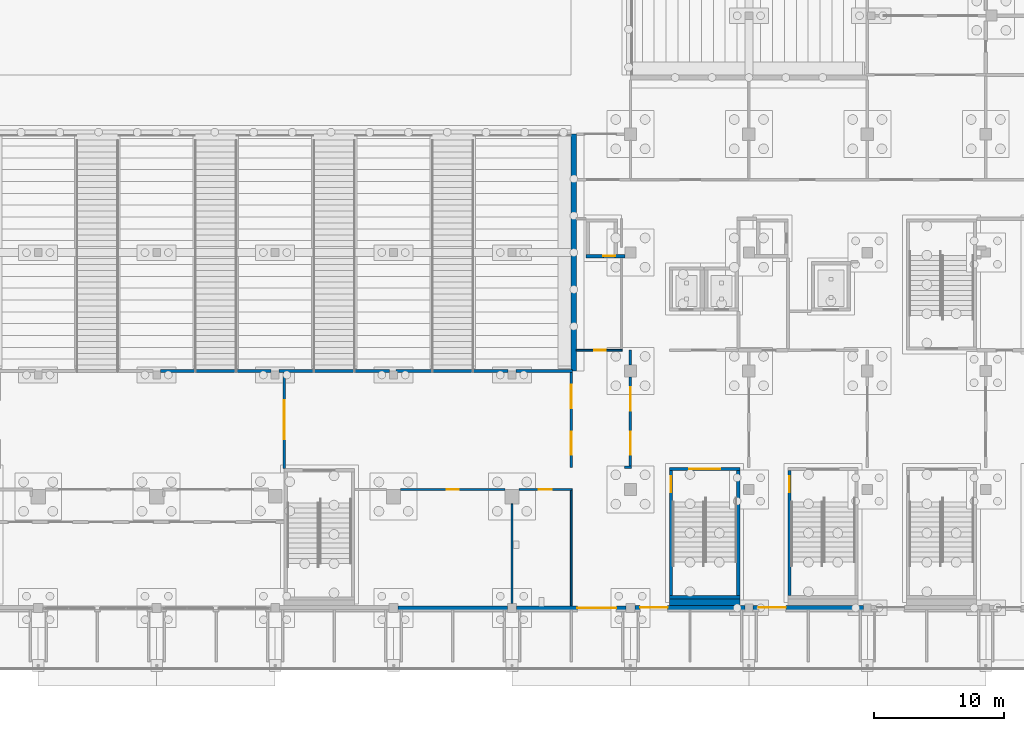
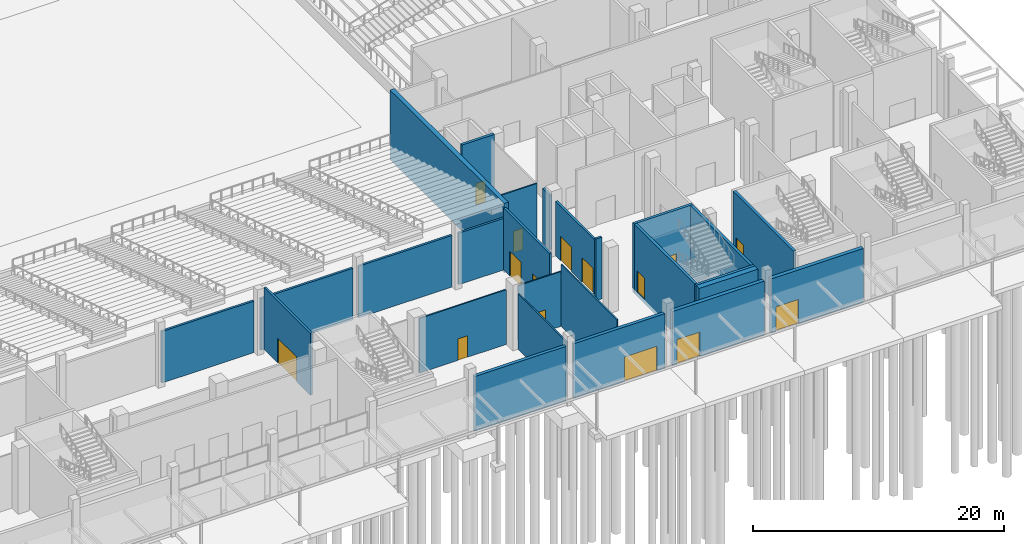
# One storey, part 73 of 129: 26 walls, 15 doors, 15 openings.
"""IFC4 building model written with IfcOpenShell, lengths in metres."""

from ifc_helpers import new_model, si_unit, direction, frame, frame_2d, origin, place, context, subcontext, project, spatial, rectangle, extrude, material, layer, layer_set, type_object, element, fill, save


model = new_model("IFC4")

# Units and contexts
model_context = context("Model", 3, precision=1e-05, world=origin(), true_north=direction((0.0, 1.0)))
body_context = subcontext(model_context, "Body", "Model", "MODEL_VIEW")
ifc_project = project(units=[si_unit("LENGTHUNIT", "METRE"), si_unit("AREAUNIT", "SQUARE_METRE"), si_unit("VOLUMEUNIT", "CUBIC_METRE"), si_unit("PLANEANGLEUNIT", "RADIAN"), si_unit("MASSUNIT", "GRAM", prefix="KILO")], contexts=[model_context])

# Site, building, storey
site_placement = place(None, origin())
site = spatial("IfcSite", under=ifc_project, at=site_placement, CompositionType="ELEMENT")
building_placement = place(site_placement, origin())
building = spatial("IfcBuilding", under=site, at=building_placement, Name="Shirokan Park Arena", CompositionType="ELEMENT")
storey_placement = place(building_placement, origin())
storey = spatial("IfcBuildingStorey", under=building, at=storey_placement, Name="L00", CompositionType="ELEMENT", Elevation=0.0)

# Wall
ifc_material_1 = material(Name="Board-formed concrete C40/50", Category="concrete")
ifc_layer_1 = layer(ifc_material_1, 0.1201171875, Name="Board-formed concrete C40/50")
ifc_material_2 = material(Name="Mineral wool insulation")
ifc_layer_2 = layer(ifc_material_2, 0.10009765625, Name="Mineral wool insulation")
ifc_material_3 = material(Name="Concrete C35", Category="concrete")
ifc_layer_3 = layer(ifc_material_3, 0.080078125, Name="Concrete C35")
ifc_layer_set_1 = layer_set([ifc_layer_1, ifc_layer_2, ifc_layer_3], Name="Board-formed concrete C40/50 + Mineral wool insulation + Concrete C35")
wall_type_1 = type_object("IfcWallType", Name="Board-formed concrete base wall 300", PredefinedType="SOLIDWALL", material=ifc_layer_set_1)
wall_1_placement = place(storey_placement, frame((91.35009765625, 0.0, 0.0), z_axis=(0.0, 0.0, 1.0), x_axis=(1.0, 0.0, 0.0)))
element("IfcWall", 1, at=wall_1_placement, inside=storey, type_object=wall_type_1, Name="South facade wall bay 11 L00", PredefinedType="SOLIDWALL", context=body_context, shape_type="SweptSolid", body=[
    extrude(rectangle(XDim=8.39990234375, YDim=0.300048828125, at=frame_2d((4.199951171875, 0.0))), origin(), (0.0, 0.0, 1.0), 5.320068359375),
])

# Wall, opening, door
wall_2_placement = place(storey_placement, frame((100.449951171875, 0.0, 0.0), z_axis=(0.0, 0.0, 1.0), x_axis=(1.0, 0.0, 0.0)))
wall_2 = element("IfcWall", 2, at=wall_2_placement, inside=storey, type_object=wall_type_1, Name="South facade wall bay 12 L00", PredefinedType="SOLIDWALL", context=body_context, shape_type="SweptSolid", body=[
    extrude(rectangle(XDim=8.400146484375, YDim=0.300048828125, at=frame_2d((4.2001953125, 0.0))), origin(), (0.0, 0.0, 1.0), 5.320068359375),
])
opening_1_placement = place(wall_2_placement, frame((4.675048828125, 0.0, 0.0)))
opening_1 = element("IfcOpeningElement", 3, at=opening_1_placement, cuts=wall_2, Name="Opening G10", PredefinedType="OPENING", context=body_context, shape_type="SweptSolid", body=[
    extrude(rectangle(XDim=3.0, YDim=2.39990234375, at=frame_2d((1.5, 1.199951171875))), frame((0.0, 0.159912109375, 0.0), z_axis=(0.0, -1.0, 0.0), x_axis=(1.0, 0.0, 0.0)), (0.0, 0.0, 1.0), 0.320068359375),
])
ifc_material_4 = material(Name="Steel and glass door", Category="steel")
door_type_1 = type_object("IfcDoorType", Name="Exit door pair 3000x2400", OperationType="DOUBLE_DOOR_SINGLE_SWING", PredefinedType="DOOR", material=ifc_material_4)
door_1_placement = place(opening_1_placement, frame((3.0, 0.0, 0.0), z_axis=(0.0, 0.0, 1.0), x_axis=(-1.0, 0.0, 0.0)))
door_1 = element("IfcDoor", 4, at=door_1_placement, inside=storey, type_object=door_type_1, Name="Pedestrian exit gate G10", OperationType="DOUBLE_DOOR_SINGLE_SWING", OverallHeight=2.39990234375, OverallWidth=3.0, PredefinedType="DOOR", context=body_context, shape_type="SweptSolid", body=[
    extrude(rectangle(XDim=3.0, YDim=2.39990234375, at=frame_2d((1.5, 1.199951171875))), frame((0.0, 0.02490234375, 0.0), z_axis=(0.0, -1.0, 0.0), x_axis=(1.0, 0.0, 0.0)), (0.0, 0.0, 1.0), 0.050048828125),
])
fill(opening_1, door_1)

# Walls
ifc_material_5 = material(Name="Gypsum board")
ifc_layer_4 = layer(ifc_material_5, 0.02490234375, Name="Gypsum board, two layers")
ifc_layer_5 = layer(ifc_material_2, 0.14990234375, Name="Mineral wool insulation")
ifc_layer_6 = layer(ifc_material_5, 0.02490234375, Name="Gypsum board, two layers")
ifc_layer_set_2 = layer_set([ifc_layer_4, ifc_layer_5, ifc_layer_6], Name="Gypsum board, two layers + Mineral wool insulation")
wall_type_2 = type_object("IfcWallType", Name="Corridor wall 200", PredefinedType="PARTITIONING", material=ifc_layer_set_2)
for number, where, z_axis, x_axis, name in (
    (5, (73.10009765625, 18.199951171875, 0.0), (0.0, 0.0, 1.0), (1.0, 0.0, 0.0), "Corridor wall 200 L00"),
    (6, (82.199951171875, 18.199951171875, 0.0), (0.0, 0.0, 1.0), (1.0, 0.0, 0.0), "Corridor wall 200 L00"),
):
    element("IfcWall", number, at=place(storey_placement, frame(where, z_axis=z_axis, x_axis=x_axis)), inside=storey, type_object=wall_type_2, Name=name, PredefinedType="PARTITIONING", context=body_context, shape_type="SweptSolid", body=[
        extrude(rectangle(XDim=8.5, YDim=0.199951171875, at=frame_2d((4.25, 0.0))), origin(), (0.0, 0.0, 1.0), 5.02001953125),
    ])

# Wall, opening, door
wall_3_placement = place(storey_placement, frame((82.60009765625, 18.10009765625, 0.0), z_axis=(0.0, 0.0, 1.0), x_axis=(0.0, -1.0, 0.0)))
wall_3 = element("IfcWall", 7, at=wall_3_placement, inside=storey, type_object=wall_type_2, Name="Corridor wall 200 L00", PredefinedType="PARTITIONING", context=body_context, shape_type="SweptSolid", body=[
    extrude(rectangle(XDim=7.3701171875, YDim=0.199951171875, at=frame_2d((3.68505859375, 0.0))), origin(), (0.0, 0.0, 1.0), 6.02001953125),
])
opening_2_placement = place(wall_3_placement, frame((2.14990234375, 0.0, 0.0)))
opening_2 = element("IfcOpeningElement", 8, at=opening_2_placement, cuts=wall_3, Name="Opening D-0135", PredefinedType="OPENING", context=body_context, shape_type="SweptSolid", body=[
    extrude(rectangle(XDim=3.0, YDim=2.39990234375, at=frame_2d((1.5, 1.199951171875))), frame((0.0, 0.10986328125, 0.0), z_axis=(0.0, -1.0, 0.0), x_axis=(1.0, 0.0, 0.0)), (0.0, 0.0, 1.0), 0.219970703125),
])
ifc_material_6 = material(Name="Glazed steel door set, fire resisting", Category="steel")
door_type_2 = type_object("IfcDoorType", Name="Concourse door 3000 x 2400", OperationType="DOUBLE_DOOR_SINGLE_SWING", PredefinedType="DOOR", material=ifc_material_6)
door_2_placement = place(opening_2_placement, origin())
door_2 = element("IfcDoor", 9, at=door_2_placement, inside=storey, type_object=door_type_2, Name="Door between Visitor Information Hall E1 and Entrance Concourse E1 D-0135", OperationType="DOUBLE_DOOR_SINGLE_SWING", OverallHeight=2.39990234375, OverallWidth=3.0, PredefinedType="DOOR", context=body_context, shape_type="SweptSolid", body=[
    extrude(rectangle(XDim=3.0, YDim=2.39990234375, at=frame_2d((1.5, 1.199951171875))), frame((0.0, 0.02490234375, 0.0), z_axis=(0.0, -1.0, 0.0), x_axis=(1.0, 0.0, 0.0)), (0.0, 0.0, 1.0), 0.050048828125),
])
fill(opening_2, door_2)

# Walls
wall_4_placement = place(storey_placement, frame((91.199951171875, 18.199951171875, 0.0), z_axis=(0.0, 0.0, 1.0), x_axis=(1.0, 0.0, 0.0)))
element("IfcWall", 10, at=wall_4_placement, inside=storey, type_object=wall_type_2, Name="Corridor wall 200 L00", PredefinedType="PARTITIONING", context=body_context, shape_type="SweptSolid", body=[
    extrude(rectangle(XDim=8.60009765625, YDim=0.199951171875, at=frame_2d((4.300048828125, 0.0))), origin(), (0.0, 0.0, 1.0), 5.02001953125),
])
wall_5_placement = place(storey_placement, frame((100.39990234375, 18.199951171875, 0.0), z_axis=(0.0, 0.0, 1.0), x_axis=(1.0, 0.0, 0.0)))
element("IfcWall", 11, at=wall_5_placement, inside=storey, type_object=wall_type_2, Name="Corridor wall 200 L00", PredefinedType="PARTITIONING", context=body_context, shape_type="SweptSolid", body=[
    extrude(rectangle(XDim=4.35009765625, YDim=0.199951171875, at=frame_2d((2.175048828125, 0.0))), origin(), (0.0, 0.0, 1.0), 5.02001953125),
])

# Wall, openings, doors
wall_6_placement = place(storey_placement, frame((104.64990234375, 10.800048828125, 0.0), z_axis=(0.0, 0.0, 1.0), x_axis=(0.0, 1.0, 0.0)))
wall_6 = element("IfcWall", 12, at=wall_6_placement, inside=storey, type_object=wall_type_2, Name="Corridor wall 200 L00", PredefinedType="PARTITIONING", context=body_context, shape_type="SweptSolid", body=[
    extrude(rectangle(XDim=7.300048828125, YDim=0.199951171875, at=frame_2d((3.64990234375, 0.0))), origin(), (0.0, 0.0, 1.0), 6.02001953125),
])
opening_3_placement = place(wall_6_placement, frame((0.949951171875, 0.0, 0.0)))
opening_3 = element("IfcOpeningElement", 13, at=opening_3_placement, cuts=wall_6, Name="Opening D-0065", PredefinedType="OPENING", context=body_context, shape_type="SweptSolid", body=[
    extrude(rectangle(XDim=1.800048828125, YDim=2.39990234375, at=frame_2d((0.89990234375, 1.199951171875))), frame((0.0, 0.10986328125, 0.0), z_axis=(0.0, -1.0, 0.0), x_axis=(1.0, 0.0, 0.0)), (0.0, 0.0, 1.0), 0.219970703125),
])
opening_4_placement = place(wall_6_placement, frame((4.550048828125, 0.0, 0.0)))
opening_4 = element("IfcOpeningElement", 14, at=opening_4_placement, cuts=wall_6, Name="Opening D-0066", PredefinedType="OPENING", context=body_context, shape_type="SweptSolid", body=[
    extrude(rectangle(XDim=1.800048828125, YDim=2.39990234375, at=frame_2d((0.89990234375, 1.199951171875))), frame((0.0, 0.10986328125, 0.0), z_axis=(0.0, -1.0, 0.0), x_axis=(1.0, 0.0, 0.0)), (0.0, 0.0, 1.0), 0.219970703125),
])
door_type_3 = type_object("IfcDoorType", Name="Lift lobby door 1800 x 2400", OperationType="DOUBLE_DOOR_SINGLE_SWING", PredefinedType="DOOR", material=ifc_material_6)
door_3_placement = place(opening_3_placement, origin())
door_3 = element("IfcDoor", 15, at=door_3_placement, inside=storey, type_object=door_type_3, Name="Door between Team Foyer 2.0.5 and Visitor Information Hall E1 D-0065", OperationType="DOUBLE_DOOR_SINGLE_SWING", OverallHeight=2.39990234375, OverallWidth=1.800048828125, PredefinedType="DOOR", context=body_context, shape_type="SweptSolid", body=[
    extrude(rectangle(XDim=1.800048828125, YDim=2.39990234375, at=frame_2d((0.89990234375, 1.199951171875))), frame((0.0, 0.02490234375, 0.0), z_axis=(0.0, -1.0, 0.0), x_axis=(1.0, 0.0, 0.0)), (0.0, 0.0, 1.0), 0.050048828125),
])
fill(opening_3, door_3)
door_4_placement = place(opening_4_placement, origin())
door_4 = element("IfcDoor", 16, at=door_4_placement, inside=storey, type_object=door_type_3, Name="Door between Team Foyer 2.0.5 and Visitor Information Hall E1 D-0066", OperationType="DOUBLE_DOOR_SINGLE_SWING", OverallHeight=2.39990234375, OverallWidth=1.800048828125, PredefinedType="DOOR", context=body_context, shape_type="SweptSolid", body=[
    extrude(rectangle(XDim=1.800048828125, YDim=2.39990234375, at=frame_2d((0.89990234375, 1.199951171875))), frame((0.0, 0.02490234375, 0.0), z_axis=(0.0, -1.0, 0.0), x_axis=(1.0, 0.0, 0.0)), (0.0, 0.0, 1.0), 0.050048828125),
])
fill(opening_4, door_4)

# Wall
wall_7_placement = place(storey_placement, frame((108.75, 10.800048828125, 0.0), z_axis=(0.0, 0.0, 1.0), x_axis=(1.0, 0.0, 0.0)))
element("IfcWall", 17, at=wall_7_placement, inside=storey, type_object=wall_type_2, Name="Corridor wall 200 L00", PredefinedType="PARTITIONING", context=body_context, shape_type="SweptSolid", body=[
    extrude(rectangle(XDim=0.550048828125, YDim=0.199951171875, at=frame_2d((0.27490234375, 0.0))), origin(), (0.0, 0.0, 1.0), 6.02001953125),
])

# Wall, openings, doors
wall_8_placement = place(storey_placement, frame((109.199951171875, 10.89990234375, 0.0), z_axis=(0.0, 0.0, 1.0), x_axis=(0.0, 1.0, 0.0)))
wall_8 = element("IfcWall", 18, at=wall_8_placement, inside=storey, type_object=wall_type_2, Name="Corridor wall 200 L00", PredefinedType="PARTITIONING", context=body_context, shape_type="SweptSolid", body=[
    extrude(rectangle(XDim=6.8251953125, YDim=0.199951171875, at=frame_2d((3.41259765625, 0.0))), origin(), (0.0, 0.0, 1.0), 5.320068359375),
])
opening_5_placement = place(wall_8_placement, frame((0.85009765625, 0.0, 0.0)))
opening_5 = element("IfcOpeningElement", 19, at=opening_5_placement, cuts=wall_8, Name="Opening D-0062", PredefinedType="OPENING", context=body_context, shape_type="SweptSolid", body=[
    extrude(rectangle(XDim=1.800048828125, YDim=2.39990234375, at=frame_2d((0.89990234375, 1.199951171875))), frame((0.0, 0.10986328125, 0.0), z_axis=(0.0, -1.0, 0.0), x_axis=(1.0, 0.0, 0.0)), (0.0, 0.0, 1.0), 0.219970703125),
])
opening_6_placement = place(wall_8_placement, frame((4.25, 0.0, 0.0)))
opening_6 = element("IfcOpeningElement", 20, at=opening_6_placement, cuts=wall_8, Name="Opening D-0063", PredefinedType="OPENING", context=body_context, shape_type="SweptSolid", body=[
    extrude(rectangle(XDim=1.800048828125, YDim=2.39990234375, at=frame_2d((0.89990234375, 1.199951171875))), frame((0.0, 0.10986328125, 0.0), z_axis=(0.0, -1.0, 0.0), x_axis=(1.0, 0.0, 0.0)), (0.0, 0.0, 1.0), 0.219970703125),
])
door_5_placement = place(opening_5_placement, origin())
door_5 = element("IfcDoor", 21, at=door_5_placement, inside=storey, type_object=door_type_3, Name="Door between Hospitality Reception 2.0.4 and Team Foyer 2.0.5 D-0062", OperationType="DOUBLE_DOOR_SINGLE_SWING", OverallHeight=2.39990234375, OverallWidth=1.800048828125, PredefinedType="DOOR", context=body_context, shape_type="SweptSolid", body=[
    extrude(rectangle(XDim=1.800048828125, YDim=2.39990234375, at=frame_2d((0.89990234375, 1.199951171875))), frame((0.0, 0.02490234375, 0.0), z_axis=(0.0, -1.0, 0.0), x_axis=(1.0, 0.0, 0.0)), (0.0, 0.0, 1.0), 0.050048828125),
])
fill(opening_5, door_5)
door_6_placement = place(opening_6_placement, origin())
door_6 = element("IfcDoor", 22, at=door_6_placement, inside=storey, type_object=door_type_3, Name="Door between Hospitality Reception 2.0.4 and Team Foyer 2.0.5 D-0063", OperationType="DOUBLE_DOOR_SINGLE_SWING", OverallHeight=2.39990234375, OverallWidth=1.800048828125, PredefinedType="DOOR", context=body_context, shape_type="SweptSolid", body=[
    extrude(rectangle(XDim=1.800048828125, YDim=2.39990234375, at=frame_2d((0.89990234375, 1.199951171875))), frame((0.0, 0.02490234375, 0.0), z_axis=(0.0, -1.0, 0.0), x_axis=(1.0, 0.0, 0.0)), (0.0, 0.0, 1.0), 0.050048828125),
])
fill(opening_6, door_6)

# Wall
wall_9_placement = place(storey_placement, frame((109.199951171875, 18.675048828125, 0.0), z_axis=(0.0, 0.0, 1.0), x_axis=(0.0, 1.0, 0.0)))
element("IfcWall", 23, at=wall_9_placement, inside=storey, type_object=wall_type_2, Name="Corridor wall 200 L00", PredefinedType="PARTITIONING", context=body_context, shape_type="SweptSolid", body=[
    extrude(rectangle(XDim=1.125, YDim=0.199951171875, at=frame_2d((0.5625, 0.0))), origin(), (0.0, 0.0, 1.0), 5.320068359375),
])

# Wall, opening, door
ifc_material_7 = material(Name="Cedar cladding")
ifc_layer_7 = layer(ifc_material_7, 0.030029296875, Name="Cedar cladding")
ifc_layer_8 = layer(ifc_material_2, 0.10009765625, Name="Mineral wool insulation")
ifc_layer_9 = layer(ifc_material_3, 0.199951171875, Name="Concrete C35")
ifc_material_8 = material(Name="Gypsum board lining")
ifc_layer_10 = layer(ifc_material_8, 0.02001953125, Name="Gypsum board lining")
ifc_layer_set_3 = layer_set([ifc_layer_7, ifc_layer_8, ifc_layer_9, ifc_layer_10], Name="Cedar cladding + Mineral wool insulation + Concrete C35 + Gypsum board lining")
wall_type_3 = type_object("IfcWallType", Name="Insulated tower wall 350", PredefinedType="SOLIDWALL", material=ifc_layer_set_3)
wall_10_placement = place(storey_placement, frame((109.550048828125, 0.02490234375, 0.0), z_axis=(0.0, 0.0, 1.0), x_axis=(1.0, 0.0, 0.0)))
wall_10 = element("IfcWall", 24, at=wall_10_placement, inside=storey, type_object=wall_type_3, Name="South facade wall bay 13 L00", PredefinedType="SOLIDWALL", context=body_context, shape_type="SweptSolid", body=[
    extrude(rectangle(XDim=8.449951171875, YDim=0.35009765625, at=frame_2d((4.22509765625, 0.0))), origin(), (0.0, 0.0, 1.0), 5.27001953125),
])
opening_7_placement = place(wall_10_placement, frame((0.39990234375, 0.0, 0.0)))
opening_7 = element("IfcOpeningElement", 25, at=opening_7_placement, cuts=wall_10, Name="Opening G9", PredefinedType="OPENING", context=body_context, shape_type="SweptSolid", body=[
    extrude(rectangle(XDim=2.10009765625, YDim=2.39990234375, at=frame_2d((1.050048828125, 1.199951171875))), frame((0.0, 0.18505859375, 0.0), z_axis=(0.0, -1.0, 0.0), x_axis=(1.0, 0.0, 0.0)), (0.0, 0.0, 1.0), 0.3701171875),
])
door_type_4 = type_object("IfcDoorType", Name="Exit door pair 2100x2400", OperationType="DOUBLE_DOOR_SINGLE_SWING", PredefinedType="DOOR", material=ifc_material_4)
door_7_placement = place(opening_7_placement, frame((2.10009765625, 0.0, 0.0), z_axis=(0.0, 0.0, 1.0), x_axis=(-1.0, 0.0, 0.0)))
door_7 = element("IfcDoor", 26, at=door_7_placement, inside=storey, type_object=door_type_4, Name="Pedestrian exit gate G9", OperationType="DOUBLE_DOOR_SINGLE_SWING", OverallHeight=2.39990234375, OverallWidth=2.10009765625, PredefinedType="DOOR", context=body_context, shape_type="SweptSolid", body=[
    extrude(rectangle(XDim=2.10009765625, YDim=2.39990234375, at=frame_2d((1.050048828125, 1.199951171875))), frame((0.0, 0.02490234375, 0.0), z_axis=(0.0, -1.0, 0.0), x_axis=(1.0, 0.0, 0.0)), (0.0, 0.0, 1.0), 0.050048828125),
])
fill(opening_7, door_7)

wall_11_placement = place(storey_placement, frame((118.60009765625, 0.02490234375, 0.0), z_axis=(0.0, 0.0, 1.0), x_axis=(1.0, 0.0, 0.0)))
wall_11 = element("IfcWall", 27, at=wall_11_placement, inside=storey, type_object=wall_type_3, Name="South facade wall bay 14 L00", PredefinedType="SOLIDWALL", context=body_context, shape_type="SweptSolid", body=[
    extrude(rectangle(XDim=8.5, YDim=0.35009765625, at=frame_2d((4.25, 0.0))), origin(), (0.0, 0.0, 1.0), 5.27001953125),
])
opening_8_placement = place(wall_11_placement, frame((0.449951171875, 0.0, 0.0)))
opening_8 = element("IfcOpeningElement", 28, at=opening_8_placement, cuts=wall_11, Name="Opening G8", PredefinedType="OPENING", context=body_context, shape_type="SweptSolid", body=[
    extrude(rectangle(XDim=2.10009765625, YDim=2.39990234375, at=frame_2d((1.050048828125, 1.199951171875))), frame((0.0, 0.18505859375, 0.0), z_axis=(0.0, -1.0, 0.0), x_axis=(1.0, 0.0, 0.0)), (0.0, 0.0, 1.0), 0.3701171875),
])
door_8_placement = place(opening_8_placement, frame((2.10009765625, 0.0, 0.0), z_axis=(0.0, 0.0, 1.0), x_axis=(-1.0, 0.0, 0.0)))
door_8 = element("IfcDoor", 29, at=door_8_placement, inside=storey, type_object=door_type_4, Name="Pedestrian exit gate G8", OperationType="DOUBLE_DOOR_SINGLE_SWING", OverallHeight=2.39990234375, OverallWidth=2.10009765625, PredefinedType="DOOR", context=body_context, shape_type="SweptSolid", body=[
    extrude(rectangle(XDim=2.10009765625, YDim=2.39990234375, at=frame_2d((1.050048828125, 1.199951171875))), frame((0.0, 0.02490234375, 0.0), z_axis=(0.0, -1.0, 0.0), x_axis=(1.0, 0.0, 0.0)), (0.0, 0.0, 1.0), 0.050048828125),
])
fill(opening_8, door_8)

# Wall
ifc_layer_11 = layer(ifc_material_3, 0.39990234375)
ifc_layer_set_4 = layer_set([ifc_layer_11], Name="Concrete C35 400 mm")
wall_type_4 = type_object("IfcWallType", Name="RC flank wall 400", PredefinedType="SHEAR", material=ifc_layer_set_4)
wall_12_placement = place(storey_placement, frame((104.85009765625, 36.39990234375, -0.39990234375), z_axis=(0.0, 0.0, 1.0), x_axis=(0.0, -1.0, 0.0)))
element("IfcWall", 30, at=wall_12_placement, inside=storey, type_object=wall_type_4, Name="Flank wall S2 L00", PredefinedType="SHEAR", context=body_context, shape_type="SweptSolid", body=[
    extrude(rectangle(XDim=18.199951171875, YDim=0.39990234375, at=frame_2d((9.10009765625, 0.0))), origin(), (0.0, 0.0, 1.0), 6.77001953125),
])

# Wall, opening, door
ifc_material_9 = material(Name="Concrete C40/50", Category="concrete")
ifc_layer_12 = layer(ifc_material_9, 0.25)
ifc_layer_set_5 = layer_set([ifc_layer_12], Name="Concrete C40/50 250 mm")
wall_type_5 = type_object("IfcWallType", Name="RC shear wall 250", PredefinedType="SHEAR", material=ifc_layer_set_5)
wall_13_placement = place(storey_placement, frame((108.77490234375, 27.02490234375, -0.39990234375), z_axis=(0.0, 0.0, 1.0), x_axis=(-1.0, 0.0, 0.0)))
wall_13 = element("IfcWall", 31, at=wall_13_placement, inside=storey, type_object=wall_type_5, Name="Shaft wall Services Riser 2.1 S L00", PredefinedType="SHEAR", context=body_context, shape_type="SweptSolid", body=[
    extrude(rectangle(XDim=2.974853515625, YDim=0.25, at=frame_2d((1.4873046875, 0.0))), origin(), (0.0, 0.0, 1.0), 6.77001953125),
])
opening_9_placement = place(wall_13_placement, frame((0.75, 0.0, 0.39990234375)))
opening_9 = element("IfcOpeningElement", 32, at=opening_9_placement, cuts=wall_13, Name="Opening D-0167", PredefinedType="OPENING", context=body_context, shape_type="SweptSolid", body=[
    extrude(rectangle(XDim=0.89990234375, YDim=2.10009765625, at=frame_2d((0.449951171875, 1.050048828125))), frame((0.0, 0.135009765625, 0.0), z_axis=(0.0, -1.0, 0.0), x_axis=(1.0, 0.0, 0.0)), (0.0, 0.0, 1.0), 0.27001953125),
])
ifc_material_10 = material(Name="Steel door set, fire resisting", Category="steel")
door_type_5 = type_object("IfcDoorType", Name="Electrical riser door 900 x 2100", OperationType="SINGLE_SWING_LEFT", PredefinedType="DOOR", material=ifc_material_10)
door_9_placement = place(opening_9_placement, origin())
door_9 = element("IfcDoor", 33, at=door_9_placement, inside=storey, type_object=door_type_5, Name="Riser access door Services Riser 2.1 D-0167", OperationType="SINGLE_SWING_LEFT", OverallHeight=2.10009765625, OverallWidth=0.89990234375, PredefinedType="DOOR", context=body_context, shape_type="SweptSolid", body=[
    extrude(rectangle(XDim=0.89990234375, YDim=2.10009765625, at=frame_2d((0.449951171875, 1.050048828125))), frame((0.0, 0.02490234375, 0.0), z_axis=(0.0, -1.0, 0.0), x_axis=(1.0, 0.0, 0.0)), (0.0, 0.0, 1.0), 0.050048828125),
])
fill(opening_9, door_9)

wall_14_placement = place(storey_placement, frame((121.425048828125, 10.550048828125, -0.39990234375), z_axis=(0.0, 0.0, 1.0), x_axis=(0.0, -1.0, 0.0)))
wall_14 = element("IfcWall", 34, at=wall_14_placement, inside=storey, type_object=wall_type_5, Name="Shaft wall Exit Stair 2.C W L00", PredefinedType="SHEAR", context=body_context, shape_type="SweptSolid", body=[
    extrude(rectangle(XDim=9.60009765625, YDim=0.25, at=frame_2d((4.800048828125, 0.0))), origin(), (0.0, 0.0, 1.0), 6.77001953125),
])
opening_10_placement = place(wall_14_placement, frame((0.449951171875, 0.0, 0.39990234375)))
opening_10 = element("IfcOpeningElement", 35, at=opening_10_placement, cuts=wall_14, Name="Opening D-0203", PredefinedType="OPENING", context=body_context, shape_type="SweptSolid", body=[
    extrude(rectangle(XDim=1.199951171875, YDim=2.10009765625, at=frame_2d((0.60009765625, 1.050048828125))), frame((0.0, 0.135009765625, 0.0), z_axis=(0.0, -1.0, 0.0), x_axis=(1.0, 0.0, 0.0)), (0.0, 0.0, 1.0), 0.27001953125),
])
door_type_6 = type_object("IfcDoorType", Name="Stair exit door 1200 x 2100", OperationType="SINGLE_SWING_LEFT", PredefinedType="DOOR", material=ifc_material_10)
door_10_placement = place(opening_10_placement, origin())
door_10 = element("IfcDoor", 36, at=door_10_placement, inside=storey, type_object=door_type_6, Name="Stair exit door Exit Stair 2.C D-0203", OperationType="SINGLE_SWING_LEFT", OverallHeight=2.10009765625, OverallWidth=1.199951171875, PredefinedType="DOOR", context=body_context, shape_type="SweptSolid", body=[
    extrude(rectangle(XDim=1.199951171875, YDim=2.10009765625, at=frame_2d((0.60009765625, 1.050048828125))), frame((0.0, 0.02490234375, 0.0), z_axis=(0.0, -1.0, 0.0), x_axis=(1.0, 0.0, 0.0)), (0.0, 0.0, 1.0), 0.050048828125),
])
fill(opening_10, door_10)

# Wall
wall_15_placement = place(storey_placement, frame((117.60009765625, 0.824951171875, -0.39990234375), z_axis=(0.0, 0.0, 1.0), x_axis=(-1.0, 0.0, 0.0)))
element("IfcWall", 37, at=wall_15_placement, inside=storey, type_object=wall_type_5, Name="Shaft wall Exit Stair 2.D S L00", PredefinedType="SHEAR", context=body_context, shape_type="SweptSolid", body=[
    extrude(rectangle(XDim=5.400146484375, YDim=0.25, at=frame_2d((2.7001953125, 0.0))), origin(), (0.0, 0.0, 1.0), 6.77001953125),
])

# Wall, opening, door
wall_16_placement = place(storey_placement, frame((117.60009765625, 10.675048828125, -0.39990234375), z_axis=(0.0, 0.0, 1.0), x_axis=(-1.0, 0.0, 0.0)))
wall_16 = element("IfcWall", 38, at=wall_16_placement, inside=storey, type_object=wall_type_5, Name="Shaft wall Exit Stair 2.D N L00", PredefinedType="SHEAR", context=body_context, shape_type="SweptSolid", body=[
    extrude(rectangle(XDim=5.400146484375, YDim=0.25, at=frame_2d((2.7001953125, 0.0))), origin(), (0.0, 0.0, 1.0), 6.77001953125),
])
opening_11_placement = place(wall_16_placement, frame((1.5, 0.0, 0.39990234375)))
opening_11 = element("IfcOpeningElement", 39, at=opening_11_placement, cuts=wall_16, Name="Opening D-0179", PredefinedType="OPENING", context=body_context, shape_type="SweptSolid", body=[
    extrude(rectangle(XDim=2.39990234375, YDim=2.10009765625, at=frame_2d((1.199951171875, 1.050048828125))), frame((0.0, 0.135009765625, 0.0), z_axis=(0.0, -1.0, 0.0), x_axis=(1.0, 0.0, 0.0)), (0.0, 0.0, 1.0), 0.27001953125),
])
door_type_7 = type_object("IfcDoorType", Name="Stair door 2400 x 2100", OperationType="DOUBLE_DOOR_SINGLE_SWING", PredefinedType="DOOR", material=ifc_material_10)
door_11_placement = place(opening_11_placement, origin())
door_11 = element("IfcDoor", 40, at=door_11_placement, inside=storey, type_object=door_type_7, Name="Stair door Exit Stair 2.D D-0179", OperationType="DOUBLE_DOOR_SINGLE_SWING", OverallHeight=2.10009765625, OverallWidth=2.39990234375, PredefinedType="DOOR", context=body_context, shape_type="SweptSolid", body=[
    extrude(rectangle(XDim=2.39990234375, YDim=2.10009765625, at=frame_2d((1.199951171875, 1.050048828125))), frame((0.0, 0.02490234375, 0.0), z_axis=(0.0, -1.0, 0.0), x_axis=(1.0, 0.0, 0.0)), (0.0, 0.0, 1.0), 0.050048828125),
])
fill(opening_11, door_11)

wall_17_placement = place(storey_placement, frame((112.324951171875, 10.550048828125, -0.39990234375), z_axis=(0.0, 0.0, 1.0), x_axis=(0.0, -1.0, 0.0)))
wall_17 = element("IfcWall", 41, at=wall_17_placement, inside=storey, type_object=wall_type_5, Name="Shaft wall Exit Stair 2.D W L00", PredefinedType="SHEAR", context=body_context, shape_type="SweptSolid", body=[
    extrude(rectangle(XDim=9.60009765625, YDim=0.25, at=frame_2d((4.800048828125, 0.0))), origin(), (0.0, 0.0, 1.0), 6.77001953125),
])
opening_12_placement = place(wall_17_placement, frame((0.449951171875, 0.0, 0.39990234375)))
opening_12 = element("IfcOpeningElement", 42, at=opening_12_placement, cuts=wall_17, Name="Opening D-0204", PredefinedType="OPENING", context=body_context, shape_type="SweptSolid", body=[
    extrude(rectangle(XDim=1.199951171875, YDim=2.10009765625, at=frame_2d((0.60009765625, 1.050048828125))), frame((0.0, 0.135009765625, 0.0), z_axis=(0.0, -1.0, 0.0), x_axis=(1.0, 0.0, 0.0)), (0.0, 0.0, 1.0), 0.27001953125),
])
door_12_placement = place(opening_12_placement, origin())
door_12 = element("IfcDoor", 43, at=door_12_placement, inside=storey, type_object=door_type_6, Name="Stair exit door Exit Stair 2.D D-0204", OperationType="SINGLE_SWING_LEFT", OverallHeight=2.10009765625, OverallWidth=1.199951171875, PredefinedType="DOOR", context=body_context, shape_type="SweptSolid", body=[
    extrude(rectangle(XDim=1.199951171875, YDim=2.10009765625, at=frame_2d((0.60009765625, 1.050048828125))), frame((0.0, 0.02490234375, 0.0), z_axis=(0.0, -1.0, 0.0), x_axis=(1.0, 0.0, 0.0)), (0.0, 0.0, 1.0), 0.050048828125),
])
fill(opening_12, door_12)

# Walls
wall_18_placement = place(storey_placement, frame((117.47509765625, 10.550048828125, -0.39990234375), z_axis=(0.0, 0.0, 1.0), x_axis=(0.0, -1.0, 0.0)))
element("IfcWall", 44, at=wall_18_placement, inside=storey, type_object=wall_type_5, Name="Shaft wall Exit Stair 2.D E L00", PredefinedType="SHEAR", context=body_context, shape_type="SweptSolid", body=[
    extrude(rectangle(XDim=9.60009765625, YDim=0.25, at=frame_2d((4.800048828125, 0.0))), origin(), (0.0, 0.0, 1.0), 6.77001953125),
])
ifc_layer_13 = layer(ifc_material_3, 0.5)
ifc_layer_set_6 = layer_set([ifc_layer_13], Name="Concrete C35 500 mm")
wall_type_6 = type_object("IfcWallType", Name="Shaft infill wall 500", PredefinedType="SOLIDWALL", material=ifc_layer_set_6)
wall_19_placement = place(storey_placement, frame((112.199951171875, 0.449951171875, 0.0), z_axis=(0.0, 0.0, 1.0), x_axis=(1.0, 0.0, 0.0)))
element("IfcWall", 45, at=wall_19_placement, inside=storey, type_object=wall_type_6, Name="Shaft infill wall L00", PredefinedType="SOLIDWALL", context=body_context, shape_type="SweptSolid", body=[
    extrude(rectangle(XDim=5.400146484375, YDim=0.5, at=frame_2d((2.7001953125, 0.0))), origin(), (0.0, 0.0, 1.0), 6.3701171875),
])

# Wall, opening, door
ifc_material_11 = material(Name="Ceramic tile")
ifc_layer_14 = layer(ifc_material_11, 0.010009765625, Name="Ceramic tile")
ifc_material_12 = material(Name="Cement board")
ifc_layer_15 = layer(ifc_material_12, 0.012451171875, Name="Cement board")
ifc_layer_16 = layer(ifc_material_2, 0.080078125, Name="Mineral wool insulation")
ifc_layer_17 = layer(ifc_material_12, 0.012451171875, Name="Cement board")
ifc_layer_18 = layer(ifc_material_11, 0.010009765625, Name="Ceramic tile")
ifc_layer_set_7 = layer_set([ifc_layer_14, ifc_layer_15, ifc_layer_16, ifc_layer_17, ifc_layer_18], Name="Ceramic tile + Cement board + Mineral wool insulation")
wall_type_7 = type_object("IfcWallType", Name="Wet-area wall 125", PredefinedType="PARTITIONING", material=ifc_layer_set_7)
wall_20_placement = place(storey_placement, frame((99.550048828125, 9.10009765625, 0.0), z_axis=(0.0, 0.0, 1.0), x_axis=(-1.0, 0.0, 0.0)))
wall_20 = element("IfcWall", 46, at=wall_20_placement, inside=storey, type_object=wall_type_7, Name="Wet-area wall 125 L00", PredefinedType="PARTITIONING", context=body_context, shape_type="SweptSolid", body=[
    extrude(rectangle(XDim=8.0, YDim=0.125, at=frame_2d((4.0, 0.0))), origin(), (0.0, 0.0, 1.0), 5.320068359375),
])
opening_13_placement = place(wall_20_placement, frame((3.550048828125, 0.0, 0.0)))
opening_13 = element("IfcOpeningElement", 47, at=opening_13_placement, cuts=wall_20, Name="Opening D-0033", PredefinedType="OPENING", context=body_context, shape_type="SweptSolid", body=[
    extrude(rectangle(XDim=0.89990234375, YDim=2.10009765625, at=frame_2d((0.449951171875, 1.050048828125))), frame((0.0, 0.072509765625, 0.0), z_axis=(0.0, -1.0, 0.0), x_axis=(1.0, 0.0, 0.0)), (0.0, 0.0, 1.0), 0.14501953125),
])
ifc_material_13 = material(Name="Timber door set, fire resisting", Category="wood")
door_type_8 = type_object("IfcDoorType", Name="Door 900 x 2100", OperationType="SINGLE_SWING_LEFT", PredefinedType="DOOR", material=ifc_material_13)
door_13_placement = place(opening_13_placement, origin())
door_13 = element("IfcDoor", 48, at=door_13_placement, inside=storey, type_object=door_type_8, Name="Door to Men's WC 0.12 D-0033", OperationType="SINGLE_SWING_RIGHT", OverallHeight=2.10009765625, OverallWidth=0.89990234375, PredefinedType="DOOR", context=body_context, shape_type="SweptSolid", body=[
    extrude(rectangle(XDim=0.89990234375, YDim=2.10009765625, at=frame_2d((0.449951171875, 1.050048828125))), frame((0.0, 0.02490234375, 0.0), z_axis=(0.0, -1.0, 0.0), x_axis=(1.0, 0.0, 0.0)), (0.0, 0.0, 1.0), 0.050048828125),
])
fill(opening_13, door_13)

# Walls
wall_21_placement = place(storey_placement, frame((100.10009765625, 8.0, 0.0), z_axis=(0.0, 0.0, 1.0), x_axis=(0.0, -1.0, 0.0)))
element("IfcWall", 49, at=wall_21_placement, inside=storey, type_object=wall_type_7, Name="Wet-area wall 125 L00", PredefinedType="PARTITIONING", context=body_context, shape_type="SweptSolid", body=[
    extrude(rectangle(XDim=7.64990234375, YDim=0.125, at=frame_2d((3.824951171875, 0.0))), origin(), (0.0, 0.0, 1.0), 5.3701171875),
])
wall_22_placement = place(storey_placement, frame((104.64990234375, 0.14990234375, 0.0), z_axis=(0.0, 0.0, 1.0), x_axis=(0.0, 1.0, 0.0)))
element("IfcWall", 50, at=wall_22_placement, inside=storey, type_object=wall_type_7, Name="Wet-area wall 125 L00", PredefinedType="PARTITIONING", context=body_context, shape_type="SweptSolid", body=[
    extrude(rectangle(XDim=8.8876953125, YDim=0.125, at=frame_2d((4.44384765625, 0.0))), origin(), (0.0, 0.0, 1.0), 6.02001953125),
])

# Wall, opening, door
wall_23_placement = place(storey_placement, frame((104.71240234375, 9.10009765625, 0.0), z_axis=(0.0, 0.0, 1.0), x_axis=(-1.0, 0.0, 0.0)))
wall_23 = element("IfcWall", 51, at=wall_23_placement, inside=storey, type_object=wall_type_7, Name="Wet-area wall 125 L00", PredefinedType="PARTITIONING", context=body_context, shape_type="SweptSolid", body=[
    extrude(rectangle(XDim=4.0625, YDim=0.125, at=frame_2d((2.03125, 0.0))), origin(), (0.0, 0.0, 1.0), 5.320068359375),
])
opening_14_placement = place(wall_23_placement, frame((1.550048828125, 0.0, 0.0)))
opening_14 = element("IfcOpeningElement", 52, at=opening_14_placement, cuts=wall_23, Name="Opening D-0034", PredefinedType="OPENING", context=body_context, shape_type="SweptSolid", body=[
    extrude(rectangle(XDim=1.0, YDim=2.10009765625, at=frame_2d((0.5, 1.050048828125))), frame((0.0, 0.072509765625, 0.0), z_axis=(0.0, -1.0, 0.0), x_axis=(1.0, 0.0, 0.0)), (0.0, 0.0, 1.0), 0.14501953125),
])
door_type_9 = type_object("IfcDoorType", Name="Accessible WC door 1000 x 2100", OperationType="SINGLE_SWING_RIGHT", PredefinedType="DOOR", material=ifc_material_13)
door_14_placement = place(opening_14_placement, origin())
door_14 = element("IfcDoor", 53, at=door_14_placement, inside=storey, type_object=door_type_9, Name="Door to Accessible WC 0.13 D-0034", OperationType="SINGLE_SWING_LEFT", OverallHeight=2.10009765625, OverallWidth=1.0, PredefinedType="DOOR", context=body_context, shape_type="SweptSolid", body=[
    extrude(rectangle(XDim=1.0, YDim=2.10009765625, at=frame_2d((0.5, 1.050048828125))), frame((0.0, 0.02490234375, 0.0), z_axis=(0.0, -1.0, 0.0), x_axis=(1.0, 0.0, 0.0)), (0.0, 0.0, 1.0), 0.050048828125),
])
fill(opening_14, door_14)

wall_24_placement = place(storey_placement, frame((105.050048828125, 19.800048828125, 0.0), z_axis=(0.0, 0.0, 1.0), x_axis=(1.0, 0.0, 0.0)))
wall_24 = element("IfcWall", 54, at=wall_24_placement, inside=storey, type_object=wall_type_7, Name="Wet-area wall 125 L00", PredefinedType="PARTITIONING", context=body_context, shape_type="SweptSolid", body=[
    extrude(rectangle(XDim=3.512451171875, YDim=0.125, at=frame_2d((1.75634765625, 0.0))), origin(), (0.0, 0.0, 1.0), 6.02001953125),
])
opening_15_placement = place(wall_24_placement, frame((1.35009765625, 0.0, 0.0)))
opening_15 = element("IfcOpeningElement", 55, at=opening_15_placement, cuts=wall_24, Name="Opening D-0009", PredefinedType="OPENING", context=body_context, shape_type="SweptSolid", body=[
    extrude(rectangle(XDim=0.89990234375, YDim=2.10009765625, at=frame_2d((0.449951171875, 1.050048828125))), frame((0.0, 0.072509765625, 0.0), z_axis=(0.0, -1.0, 0.0), x_axis=(1.0, 0.0, 0.0)), (0.0, 0.0, 1.0), 0.14501953125),
])
door_15_placement = place(opening_15_placement, origin())
door_15 = element("IfcDoor", 56, at=door_15_placement, inside=storey, type_object=door_type_8, Name="Door to Staff WC 0.29 D-0009", OperationType="SINGLE_SWING_LEFT", OverallHeight=2.10009765625, OverallWidth=0.89990234375, PredefinedType="DOOR", context=body_context, shape_type="SweptSolid", body=[
    extrude(rectangle(XDim=0.89990234375, YDim=2.10009765625, at=frame_2d((0.449951171875, 1.050048828125))), frame((0.0, 0.02490234375, 0.0), z_axis=(0.0, -1.0, 0.0), x_axis=(1.0, 0.0, 0.0)), (0.0, 0.0, 1.0), 0.050048828125),
])
fill(opening_15, door_15)

save(model, "model.ifc")
